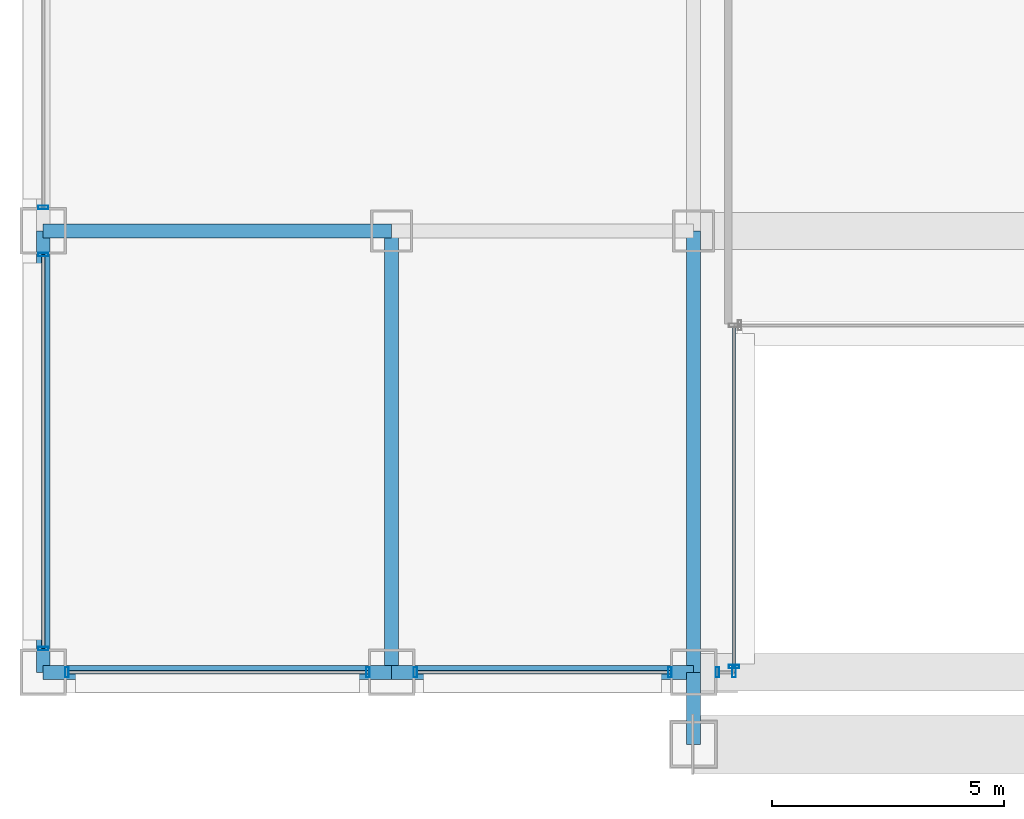
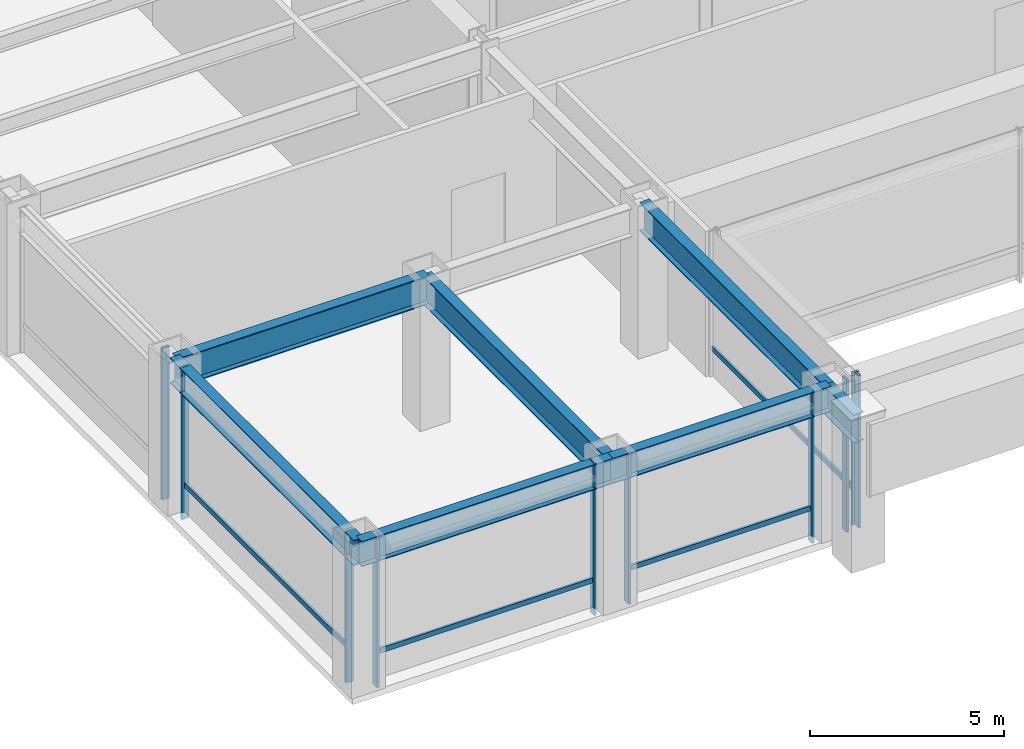
# One storey, part 2 of 37: 14 members, 7 beams, 6 elements without a shape of their own.
"""IFC4 building model written with IfcOpenShell, lengths in metres."""

from ifc_helpers import new_model, si_unit, direction, frame, origin, origin_2d, place, context, subcontext, project, spatial, hollow_rectangle, i_section, extrude, material, layer, layer_set, material_profile, profile_set, type_object, element, aggregate, save


model = new_model("IFC4")

# Units and contexts
model_context = context("Model", 3, precision=1e-05, world=origin(), true_north=direction((0.0, 1.0)))
body_context = subcontext(model_context, "Body", "Model", "MODEL_VIEW")
ifc_project = project(units=[si_unit("LENGTHUNIT", "METRE"), si_unit("AREAUNIT", "SQUARE_METRE"), si_unit("VOLUMEUNIT", "CUBIC_METRE"), si_unit("PLANEANGLEUNIT", "RADIAN"), si_unit("MASSUNIT", "GRAM", prefix="KILO")], contexts=[model_context])

# Site, building, storey
site_placement = place(None, origin())
site = spatial("IfcSite", under=ifc_project, at=site_placement, CompositionType="ELEMENT")
building_placement = place(site_placement, origin())
building = spatial("IfcBuilding", under=site, at=building_placement, Name="Brelmoor Portico Tower", CompositionType="ELEMENT")
storey_placement = place(building_placement, frame((0.0, 0.0, 14.39990234375)))
storey = spatial("IfcBuildingStorey", under=building, at=storey_placement, Name="L03", CompositionType="ELEMENT", Elevation=14.39990234375)

# Beams
ifc_material_1 = material(Name="Steel Q355B", Category="steel")
ifc_material_profile_1 = material_profile(ifc_material_1, i_section(OverallWidth=0.300048828125, OverallDepth=0.89990234375, WebThickness=0.01611328125, FlangeThickness=0.028076171875, at=origin_2d()), Name="HN 900x300x16x28")
ifc_profile_set_1 = profile_set([ifc_material_profile_1], Name="Steel Q355B")
beam_type_1 = type_object("IfcBeamType", Name="BM-PG-900", PredefinedType="BEAM", material=ifc_profile_set_1)
beam_1_placement = place(storey_placement, frame((-21.050048828125, -27.550048828125, 4.130126953125), z_axis=(0.0, 1.0, 0.0), x_axis=(-1.0, 0.0, 0.0)))
element("IfcBeam", 1, at=beam_1_placement, inside=storey, type_object=beam_type_1, Name="L03 Primary Floor Girder PG-01", PredefinedType="BEAM", context=body_context, shape_type="SweptSolid", body=[
    extrude(i_section(OverallWidth=0.300048828125, OverallDepth=0.89990234375, WebThickness=0.01611328125, FlangeThickness=0.028076171875, at=origin_2d()), origin(), (0.0, 0.0, 1.0), 9.5),
])
beam_2_placement = place(storey_placement, frame((-14.550048828125, -29.10009765625, 4.130126953125), z_axis=(0.0, 1.0, 0.0), x_axis=(-1.0, 0.0, 0.0)))
element("IfcBeam", 2, at=beam_2_placement, inside=storey, type_object=beam_type_1, Name="L03 Primary Floor Girder PG-03", PredefinedType="BEAM", context=body_context, shape_type="SweptSolid", body=[
    extrude(i_section(OverallWidth=0.300048828125, OverallDepth=0.89990234375, WebThickness=0.01611328125, FlangeThickness=0.028076171875, at=origin_2d()), origin(), (0.0, 0.0, 1.0), 1.550048828125),
])
beam_3_placement = place(storey_placement, frame((-14.550048828125, -27.550048828125, 4.130126953125), z_axis=(0.0, 1.0, 0.0), x_axis=(-1.0, 0.0, 0.0)))
element("IfcBeam", 3, at=beam_3_placement, inside=storey, type_object=beam_type_1, Name="L03 Primary Floor Girder PG-04", PredefinedType="BEAM", context=body_context, shape_type="SweptSolid", body=[
    extrude(i_section(OverallWidth=0.300048828125, OverallDepth=0.89990234375, WebThickness=0.01611328125, FlangeThickness=0.028076171875, at=origin_2d()), origin(), (0.0, 0.0, 1.0), 9.5),
])
beam_4_placement = place(storey_placement, frame((-28.550048828125, -18.050048828125, 4.130126953125), z_axis=(1.0, 0.0, 0.0), x_axis=(0.0, 1.0, 0.0)))
element("IfcBeam", 4, at=beam_4_placement, inside=storey, type_object=beam_type_1, Name="L03 Primary Floor Girder PG-21", PredefinedType="BEAM", context=body_context, shape_type="SweptSolid", body=[
    extrude(i_section(OverallWidth=0.300048828125, OverallDepth=0.89990234375, WebThickness=0.01611328125, FlangeThickness=0.028076171875, at=origin_2d()), origin(), (0.0, 0.0, 1.0), 7.5),
])
ifc_material_profile_2 = material_profile(ifc_material_1, i_section(OverallWidth=0.300048828125, OverallDepth=0.800048828125, WebThickness=0.013916015625, FlangeThickness=0.02587890625, at=origin_2d()), Name="HN 800x300x14x26")
ifc_profile_set_2 = profile_set([ifc_material_profile_2], Name="Steel Q355B")
beam_type_2 = type_object("IfcBeamType", Name="BM-SP-800", PredefinedType="SPANDREL", material=ifc_profile_set_2)
beam_5_placement = place(storey_placement, frame((-28.550048828125, -27.550048828125, 4.18017578125), z_axis=(1.0, 0.0, 0.0), x_axis=(0.0, 1.0, 0.0)))
element("IfcBeam", 5, at=beam_5_placement, inside=storey, type_object=beam_type_2, Name="L03 Perimeter Spandrel Beam SP-01", PredefinedType="SPANDREL", context=body_context, shape_type="SweptSolid", body=[
    extrude(i_section(OverallWidth=0.300048828125, OverallDepth=0.800048828125, WebThickness=0.013916015625, FlangeThickness=0.02587890625, at=origin_2d()), origin(), (0.0, 0.0, 1.0), 7.5),
])
beam_6_placement = place(storey_placement, frame((-21.050048828125, -27.550048828125, 4.18017578125), z_axis=(1.0, 0.0, 0.0), x_axis=(0.0, 1.0, 0.0)))
element("IfcBeam", 6, at=beam_6_placement, inside=storey, type_object=beam_type_2, Name="L03 Perimeter Spandrel Beam SP-02", PredefinedType="SPANDREL", context=body_context, shape_type="SweptSolid", body=[
    extrude(i_section(OverallWidth=0.300048828125, OverallDepth=0.800048828125, WebThickness=0.013916015625, FlangeThickness=0.02587890625, at=origin_2d()), origin(), (0.0, 0.0, 1.0), 6.5),
])
beam_7_placement = place(storey_placement, frame((-28.550048828125, -27.550048828125, 4.18017578125), z_axis=(0.0, 1.0, 0.0), x_axis=(-1.0, 0.0, 0.0)))
element("IfcBeam", 7, at=beam_7_placement, inside=storey, type_object=beam_type_2, Name="L03 Perimeter Spandrel Beam SP-11", PredefinedType="SPANDREL", context=body_context, shape_type="SweptSolid", body=[
    extrude(i_section(OverallWidth=0.300048828125, OverallDepth=0.800048828125, WebThickness=0.013916015625, FlangeThickness=0.02587890625, at=origin_2d()), origin(), (0.0, 0.0, 1.0), 9.5),
])

# Curtain wall, members
ifc_material_2 = material(Name="Anodised Aluminium Alloy 6063-T6", Category="aluminium")
ifc_layer = layer(ifc_material_2, 0.179931640625)
ifc_layer_set = layer_set([ifc_layer], Name="Anodised Aluminium Alloy 6063-T6")
curtain_wall_type = type_object("IfcCurtainWallType", Name="CW-PODIUM-ARCH", PredefinedType="NOTDEFINED", material=ifc_layer_set)
curtain_wall_1_placement = place(storey_placement, origin())
curtain_wall_1 = element("IfcCurtainWall", 8, at=curtain_wall_1_placement, inside=storey, type_object=curtain_wall_type, Name="L03 Curtain Wall CW-L03-01-1", PredefinedType="NOTDEFINED")
ifc_material_profile_3 = material_profile(ifc_material_2, hollow_rectangle(XDim=0.074951171875, YDim=0.219970703125, WallThickness=0.0048828125, at=origin_2d()), Name="ALU MULLION 75x220")
ifc_profile_set_3 = profile_set([ifc_material_profile_3], Name="Anodised Aluminium Alloy 6063-T6")
member_type_1 = type_object("IfcMemberType", Name="MB-CW-MULL-220", PredefinedType="MULLION", material=ifc_profile_set_3)
member_1_placement = place(storey_placement, frame((-28.0400390625, -27.550048828125, -0.219970703125), z_axis=(0.0, 0.0, 1.0), x_axis=(1.0, 0.0, 0.0)))
member_1 = element("IfcMember", 9, at=member_1_placement, type_object=member_type_1, Name="CW-L03-01-1 Mullion 00", PredefinedType="MULLION", context=body_context, shape_type="SweptSolid", body=[
    extrude(hollow_rectangle(XDim=0.074951171875, YDim=0.219970703125, WallThickness=0.0048828125, at=origin_2d()), origin(), (0.0, 0.0, 1.0), 4.800048828125),
])
member_2_placement = place(storey_placement, frame((-21.56005859375, -27.550048828125, -0.219970703125), z_axis=(0.0, 0.0, 1.0), x_axis=(1.0, 0.0, 0.0)))
member_2 = element("IfcMember", 10, at=member_2_placement, type_object=member_type_1, Name="CW-L03-01-1 Mullion 01", PredefinedType="MULLION", context=body_context, shape_type="SweptSolid", body=[
    extrude(hollow_rectangle(XDim=0.074951171875, YDim=0.219970703125, WallThickness=0.0048828125, at=origin_2d()), origin(), (0.0, 0.0, 1.0), 4.800048828125),
])

curtain_wall_2_placement = place(storey_placement, origin())
curtain_wall_2 = element("IfcCurtainWall", 11, at=curtain_wall_2_placement, inside=storey, type_object=curtain_wall_type, Name="L03 Curtain Wall CW-L03-01-2", PredefinedType="NOTDEFINED")
member_3_placement = place(storey_placement, frame((-20.5400390625, -27.550048828125, -0.219970703125), z_axis=(0.0, 0.0, 1.0), x_axis=(1.0, 0.0, 0.0)))
member_3 = element("IfcMember", 12, at=member_3_placement, type_object=member_type_1, Name="CW-L03-01-2 Mullion 00", PredefinedType="MULLION", context=body_context, shape_type="SweptSolid", body=[
    extrude(hollow_rectangle(XDim=0.074951171875, YDim=0.219970703125, WallThickness=0.0048828125, at=origin_2d()), origin(), (0.0, 0.0, 1.0), 4.800048828125),
])
member_4_placement = place(storey_placement, frame((-15.06005859375, -27.550048828125, -0.219970703125), z_axis=(0.0, 0.0, 1.0), x_axis=(1.0, 0.0, 0.0)))
member_4 = element("IfcMember", 13, at=member_4_placement, type_object=member_type_1, Name="CW-L03-01-2 Mullion 01", PredefinedType="MULLION", context=body_context, shape_type="SweptSolid", body=[
    extrude(hollow_rectangle(XDim=0.074951171875, YDim=0.219970703125, WallThickness=0.0048828125, at=origin_2d()), origin(), (0.0, 0.0, 1.0), 4.800048828125),
])

curtain_wall_3_placement = place(storey_placement, origin())
curtain_wall_3 = element("IfcCurtainWall", 14, at=curtain_wall_3_placement, inside=storey, type_object=curtain_wall_type, Name="L03 Curtain Wall CW-L03-01-3", PredefinedType="NOTDEFINED")
member_5_placement = place(storey_placement, frame((-14.0400390625, -27.550048828125, -0.219970703125), z_axis=(0.0, 0.0, 1.0), x_axis=(1.0, 0.0, 0.0)))
member_5 = element("IfcMember", 15, at=member_5_placement, type_object=member_type_1, Name="CW-L03-01-3 Mullion 00", PredefinedType="MULLION", context=body_context, shape_type="SweptSolid", body=[
    extrude(hollow_rectangle(XDim=0.074951171875, YDim=0.219970703125, WallThickness=0.0048828125, at=origin_2d()), origin(), (0.0, 0.0, 1.0), 4.800048828125),
])
member_6_placement = place(storey_placement, frame((-13.679931640625, -27.550048828125, -0.219970703125), z_axis=(0.0, 0.0, 1.0), x_axis=(1.0, 0.0, 0.0)))
member_6 = element("IfcMember", 16, at=member_6_placement, type_object=member_type_1, Name="CW-L03-01-3 Mullion 01", PredefinedType="MULLION", context=body_context, shape_type="SweptSolid", body=[
    extrude(hollow_rectangle(XDim=0.074951171875, YDim=0.219970703125, WallThickness=0.0048828125, at=origin_2d()), origin(), (0.0, 0.0, 1.0), 4.800048828125),
])
aggregate(curtain_wall_3, [member_5, member_6])

# Curtain wall, member
curtain_wall_4_placement = place(storey_placement, origin())
curtain_wall_4 = element("IfcCurtainWall", 17, at=curtain_wall_4_placement, inside=storey, type_object=curtain_wall_type, Name="L03 Curtain Wall CW-L03-03", PredefinedType="NOTDEFINED")
member_7_placement = place(storey_placement, frame((-13.679931640625, -27.429931640625, -0.219970703125), z_axis=(0.0, 0.0, 1.0), x_axis=(0.0, 1.0, 0.0)))
member_7 = element("IfcMember", 18, at=member_7_placement, type_object=member_type_1, Name="CW-L03-03 Mullion 00", PredefinedType="MULLION", context=body_context, shape_type="SweptSolid", body=[
    extrude(hollow_rectangle(XDim=0.074951171875, YDim=0.219970703125, WallThickness=0.0048828125, at=origin_2d()), origin(), (0.0, 0.0, 1.0), 4.800048828125),
])

# Curtain wall, members
curtain_wall_5_placement = place(storey_placement, origin())
curtain_wall_5 = element("IfcCurtainWall", 19, at=curtain_wall_5_placement, inside=storey, type_object=curtain_wall_type, Name="L03 Curtain Wall CW-L03-11-1", PredefinedType="NOTDEFINED")
member_8_placement = place(storey_placement, frame((-28.550048828125, -27.0400390625, -0.219970703125), z_axis=(0.0, 0.0, 1.0), x_axis=(0.0, 1.0, 0.0)))
member_8 = element("IfcMember", 20, at=member_8_placement, type_object=member_type_1, Name="CW-L03-11-1 Mullion 00", PredefinedType="MULLION", context=body_context, shape_type="SweptSolid", body=[
    extrude(hollow_rectangle(XDim=0.074951171875, YDim=0.219970703125, WallThickness=0.0048828125, at=origin_2d()), origin(), (0.0, 0.0, 1.0), 4.800048828125),
])
member_9_placement = place(storey_placement, frame((-28.550048828125, -18.56005859375, -0.219970703125), z_axis=(0.0, 0.0, 1.0), x_axis=(0.0, 1.0, 0.0)))
member_9 = element("IfcMember", 21, at=member_9_placement, type_object=member_type_1, Name="CW-L03-11-1 Mullion 01", PredefinedType="MULLION", context=body_context, shape_type="SweptSolid", body=[
    extrude(hollow_rectangle(XDim=0.074951171875, YDim=0.219970703125, WallThickness=0.0048828125, at=origin_2d()), origin(), (0.0, 0.0, 1.0), 4.800048828125),
])

# Curtain wall, member
curtain_wall_6_placement = place(storey_placement, origin())
curtain_wall_6 = element("IfcCurtainWall", 22, at=curtain_wall_6_placement, inside=storey, type_object=curtain_wall_type, Name="L03 Curtain Wall CW-L03-11-2", PredefinedType="NOTDEFINED")
member_10_placement = place(storey_placement, frame((-28.550048828125, -17.5400390625, -0.219970703125), z_axis=(0.0, 0.0, 1.0), x_axis=(0.0, 1.0, 0.0)))
member_10 = element("IfcMember", 23, at=member_10_placement, type_object=member_type_1, Name="CW-L03-11-2 Mullion 00", PredefinedType="MULLION", context=body_context, shape_type="SweptSolid", body=[
    extrude(hollow_rectangle(XDim=0.074951171875, YDim=0.219970703125, WallThickness=0.0048828125, at=origin_2d()), origin(), (0.0, 0.0, 1.0), 4.800048828125),
])
aggregate(curtain_wall_6, [member_10])

# Member
ifc_material_profile_4 = material_profile(ifc_material_2, hollow_rectangle(XDim=0.070068359375, YDim=0.159912109375, WallThickness=0.00390625, at=origin_2d()), Name="ALU TRANSOM 70x160")
ifc_profile_set_4 = profile_set([ifc_material_profile_4], Name="Anodised Aluminium Alloy 6063-T6")
member_type_2 = type_object("IfcMemberType", Name="MB-CW-TRAN-160", PredefinedType="USERDEFINED", material=ifc_profile_set_4)
member_11_placement = place(storey_placement, frame((-28.0400390625, -27.550048828125, 0.85009765625), z_axis=(1.0, 0.0, 0.0), x_axis=(0.0, 1.0, 0.0)))
member_11 = element("IfcMember", 24, at=member_11_placement, type_object=member_type_2, Name="CW-L03-01-1 Transom 1-00", ObjectType="TRANSOM", PredefinedType="USERDEFINED", context=body_context, shape_type="SweptSolid", body=[
    extrude(hollow_rectangle(XDim=0.070068359375, YDim=0.159912109375, WallThickness=0.00390625, at=origin_2d()), origin(), (0.0, 0.0, 1.0), 6.47998046875),
])

aggregate(curtain_wall_1, [member_1, member_2, member_11])

member_12_placement = place(storey_placement, frame((-20.5400390625, -27.550048828125, 0.85009765625), z_axis=(1.0, 0.0, 0.0), x_axis=(0.0, 1.0, 0.0)))
member_12 = element("IfcMember", 25, at=member_12_placement, type_object=member_type_2, Name="CW-L03-01-2 Transom 1-00", ObjectType="TRANSOM", PredefinedType="USERDEFINED", context=body_context, shape_type="SweptSolid", body=[
    extrude(hollow_rectangle(XDim=0.070068359375, YDim=0.159912109375, WallThickness=0.00390625, at=origin_2d()), origin(), (0.0, 0.0, 1.0), 5.47998046875),
])

aggregate(curtain_wall_2, [member_3, member_4, member_12])

member_13_placement = place(storey_placement, frame((-13.679931640625, -27.550048828125, 0.85009765625), z_axis=(0.0, 1.0, 0.0), x_axis=(-1.0, 0.0, 0.0)))
member_13 = element("IfcMember", 26, at=member_13_placement, type_object=member_type_2, Name="CW-L03-03 Transom 1-00", ObjectType="TRANSOM", PredefinedType="USERDEFINED", context=body_context, shape_type="SweptSolid", body=[
    extrude(hollow_rectangle(XDim=0.070068359375, YDim=0.159912109375, WallThickness=0.00390625, at=origin_2d()), origin(), (0.0, 0.0, 1.0), 7.469970703125),
])

aggregate(curtain_wall_4, [member_7, member_13])

member_14_placement = place(storey_placement, frame((-28.550048828125, -27.0400390625, 0.85009765625), z_axis=(0.0, 1.0, 0.0), x_axis=(-1.0, 0.0, 0.0)))
member_14 = element("IfcMember", 27, at=member_14_placement, type_object=member_type_2, Name="CW-L03-11-1 Transom 1-00", ObjectType="TRANSOM", PredefinedType="USERDEFINED", context=body_context, shape_type="SweptSolid", body=[
    extrude(hollow_rectangle(XDim=0.070068359375, YDim=0.159912109375, WallThickness=0.00390625, at=origin_2d()), origin(), (0.0, 0.0, 1.0), 8.47998046875),
])

aggregate(curtain_wall_5, [member_8, member_9, member_14])

save(model, "model.ifc")
